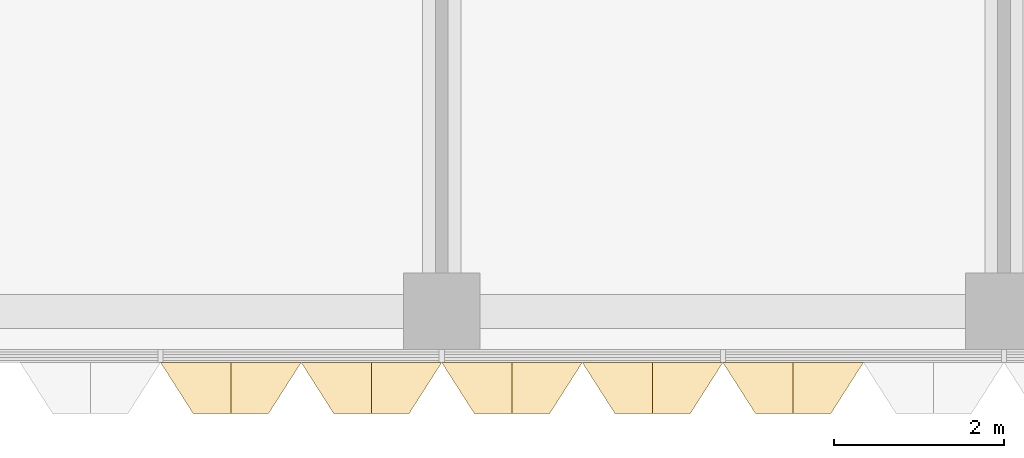
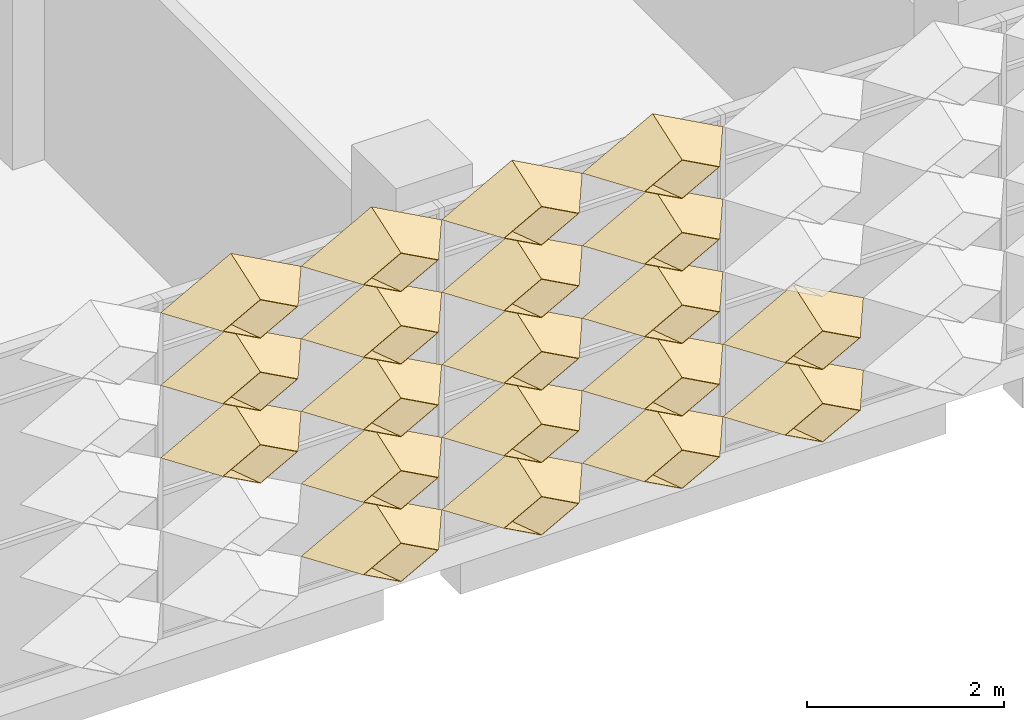
# One storey, part 77 of 109: 20 coverings.
"""IFC4 building model written with IfcOpenShell, lengths in metres."""

from ifc_helpers import new_model, entity, si_unit, direction, frame, origin, place, context, subcontext, project, spatial, material, layer, layer_set, type_object, element, save


model = new_model("IFC4")

# Units and contexts
model_context = context("Model", 3, precision=1e-05, world=origin(), true_north=direction((0.0, 1.0)))
body_context = subcontext(model_context, "Body", "Model", "MODEL_VIEW")
ifc_project = project(units=[si_unit("LENGTHUNIT", "METRE"), si_unit("AREAUNIT", "SQUARE_METRE"), si_unit("VOLUMEUNIT", "CUBIC_METRE"), si_unit("PLANEANGLEUNIT", "RADIAN"), si_unit("MASSUNIT", "GRAM", prefix="KILO")], contexts=[model_context])

# Site, building, storey
site_placement = place(None, origin())
site = spatial("IfcSite", under=ifc_project, at=site_placement, CompositionType="ELEMENT")
building_placement = place(site_placement, origin())
building = spatial("IfcBuilding", under=site, at=building_placement, Name="Lantern Court Research Institute", CompositionType="ELEMENT")
storey_placement = place(building_placement, frame((0.0, 0.0, 14.39990234375)))
storey = spatial("IfcBuildingStorey", under=building, at=storey_placement, Name="L03", CompositionType="ELEMENT", Elevation=14.39990234375)

# Coverings
ifc_material = material(Name="Anodised aluminium", Category="aluminium")
ifc_layer = layer(ifc_material, 0.01611328125)
ifc_layer_set = layer_set([ifc_layer], Name="Anodised aluminium")
covering_type = type_object("IfcCoveringType", Name="Fin cassette 1650 x 900 x 600 aluminium", PredefinedType="CLADDING", material=ifc_layer_set)
covering_1_placement = place(storey_placement, frame((65.175048828125, -8.39990234375, 0.4501953125), z_axis=(0.0, -1.0, 0.0), x_axis=(1.0, 0.0, 0.0)))
cartesian_point_1 = entity("IfcCartesianPoint", [0.824951171875, 0.0])
cartesian_point_2 = entity("IfcCartesianPoint", [0.79150390625, 0.0])
cartesian_point_3 = entity("IfcCartesianPoint", [0.44189453125, 0.0])
cartesian_point_4 = entity("IfcCartesianPoint", [0.43359375, 0.0])
element("IfcCovering", 1, at=covering_1_placement, inside=storey, type_object=covering_type, Name="Fin cassette V5S-L03 1.40", PredefinedType="CLADDING", context=body_context, shape_type="SweptSolid", body=[
    entity("IfcExtrudedAreaSolidTapered", entity("IfcArbitraryProfileDefWithVoids", "AREA", None, entity("IfcPolyline", [cartesian_point_1, entity("IfcCartesianPoint", [0.0, 0.449951171875]), entity("IfcCartesianPoint", [-0.824951171875, 0.0]), entity("IfcCartesianPoint", [0.0, -0.449951171875]), cartesian_point_1]), [entity("IfcPolyline", [cartesian_point_2, entity("IfcCartesianPoint", [0.0, 0.431884765625]), entity("IfcCartesianPoint", [-0.79150390625, 0.0]), entity("IfcCartesianPoint", [0.0, -0.431884765625]), cartesian_point_2])]), entity("IfcAxis2Placement3D", entity("IfcCartesianPoint", [0.0, 0.0, 0.0])), entity("IfcDirection", [0.0, 0.0, 1.0]), 0.60009765625, entity("IfcArbitraryProfileDefWithVoids", "AREA", None, entity("IfcPolyline", [cartesian_point_3, entity("IfcCartesianPoint", [0.0, 0.240966796875]), entity("IfcCartesianPoint", [-0.44189453125, 0.0]), entity("IfcCartesianPoint", [0.0, -0.240966796875]), cartesian_point_3]), [entity("IfcPolyline", [cartesian_point_4, entity("IfcCartesianPoint", [0.0, 0.236572265625]), entity("IfcCartesianPoint", [-0.43359375, 0.0]), entity("IfcCartesianPoint", [0.0, -0.236572265625]), cartesian_point_4])])),
])
covering_2_placement = place(storey_placement, frame((66.824951171875, -8.39990234375, 0.4501953125), z_axis=(0.0, -1.0, 0.0), x_axis=(1.0, 0.0, 0.0)))
cartesian_point_5 = entity("IfcCartesianPoint", [0.824951171875, 0.0])
cartesian_point_6 = entity("IfcCartesianPoint", [0.79150390625, 0.0])
cartesian_point_7 = entity("IfcCartesianPoint", [0.44189453125, 0.0])
cartesian_point_8 = entity("IfcCartesianPoint", [0.43359375, 0.0])
element("IfcCovering", 2, at=covering_2_placement, inside=storey, type_object=covering_type, Name="Fin cassette V5S-L03 1.41", PredefinedType="CLADDING", context=body_context, shape_type="SweptSolid", body=[
    entity("IfcExtrudedAreaSolidTapered", entity("IfcArbitraryProfileDefWithVoids", "AREA", None, entity("IfcPolyline", [cartesian_point_5, entity("IfcCartesianPoint", [0.0, 0.449951171875]), entity("IfcCartesianPoint", [-0.824951171875, 0.0]), entity("IfcCartesianPoint", [0.0, -0.449951171875]), cartesian_point_5]), [entity("IfcPolyline", [cartesian_point_6, entity("IfcCartesianPoint", [0.0, 0.431884765625]), entity("IfcCartesianPoint", [-0.79150390625, 0.0]), entity("IfcCartesianPoint", [0.0, -0.431884765625]), cartesian_point_6])]), entity("IfcAxis2Placement3D", entity("IfcCartesianPoint", [0.0, 0.0, 0.0])), entity("IfcDirection", [0.0, 0.0, 1.0]), 0.60009765625, entity("IfcArbitraryProfileDefWithVoids", "AREA", None, entity("IfcPolyline", [cartesian_point_7, entity("IfcCartesianPoint", [0.0, 0.240966796875]), entity("IfcCartesianPoint", [-0.44189453125, 0.0]), entity("IfcCartesianPoint", [0.0, -0.240966796875]), cartesian_point_7]), [entity("IfcPolyline", [cartesian_point_8, entity("IfcCartesianPoint", [0.0, 0.236572265625]), entity("IfcCartesianPoint", [-0.43359375, 0.0]), entity("IfcCartesianPoint", [0.0, -0.236572265625]), cartesian_point_8])])),
])
covering_3_placement = place(storey_placement, frame((68.47509765625, -8.39990234375, 0.4501953125), z_axis=(0.0, -1.0, 0.0), x_axis=(1.0, 0.0, 0.0)))
cartesian_point_9 = entity("IfcCartesianPoint", [0.824951171875, 0.0])
cartesian_point_10 = entity("IfcCartesianPoint", [0.79150390625, 0.0])
cartesian_point_11 = entity("IfcCartesianPoint", [0.44189453125, 0.0])
cartesian_point_12 = entity("IfcCartesianPoint", [0.43359375, 0.0])
element("IfcCovering", 3, at=covering_3_placement, inside=storey, type_object=covering_type, Name="Fin cassette V5S-L03 1.42", PredefinedType="CLADDING", context=body_context, shape_type="SweptSolid", body=[
    entity("IfcExtrudedAreaSolidTapered", entity("IfcArbitraryProfileDefWithVoids", "AREA", None, entity("IfcPolyline", [cartesian_point_9, entity("IfcCartesianPoint", [0.0, 0.449951171875]), entity("IfcCartesianPoint", [-0.824951171875, 0.0]), entity("IfcCartesianPoint", [0.0, -0.449951171875]), cartesian_point_9]), [entity("IfcPolyline", [cartesian_point_10, entity("IfcCartesianPoint", [0.0, 0.431884765625]), entity("IfcCartesianPoint", [-0.79150390625, 0.0]), entity("IfcCartesianPoint", [0.0, -0.431884765625]), cartesian_point_10])]), entity("IfcAxis2Placement3D", entity("IfcCartesianPoint", [0.0, 0.0, 0.0])), entity("IfcDirection", [0.0, 0.0, 1.0]), 0.60009765625, entity("IfcArbitraryProfileDefWithVoids", "AREA", None, entity("IfcPolyline", [cartesian_point_11, entity("IfcCartesianPoint", [0.0, 0.240966796875]), entity("IfcCartesianPoint", [-0.44189453125, 0.0]), entity("IfcCartesianPoint", [0.0, -0.240966796875]), cartesian_point_11]), [entity("IfcPolyline", [cartesian_point_12, entity("IfcCartesianPoint", [0.0, 0.236572265625]), entity("IfcCartesianPoint", [-0.43359375, 0.0]), entity("IfcCartesianPoint", [0.0, -0.236572265625]), cartesian_point_12])])),
])
covering_4_placement = place(storey_placement, frame((70.125, -8.39990234375, 0.4501953125), z_axis=(0.0, -1.0, 0.0), x_axis=(1.0, 0.0, 0.0)))
cartesian_point_13 = entity("IfcCartesianPoint", [0.824951171875, 0.0])
cartesian_point_14 = entity("IfcCartesianPoint", [0.79150390625, 0.0])
cartesian_point_15 = entity("IfcCartesianPoint", [0.44189453125, 0.0])
cartesian_point_16 = entity("IfcCartesianPoint", [0.43359375, 0.0])
element("IfcCovering", 4, at=covering_4_placement, inside=storey, type_object=covering_type, Name="Fin cassette V5S-L03 1.43", PredefinedType="CLADDING", context=body_context, shape_type="SweptSolid", body=[
    entity("IfcExtrudedAreaSolidTapered", entity("IfcArbitraryProfileDefWithVoids", "AREA", None, entity("IfcPolyline", [cartesian_point_13, entity("IfcCartesianPoint", [0.0, 0.449951171875]), entity("IfcCartesianPoint", [-0.824951171875, 0.0]), entity("IfcCartesianPoint", [0.0, -0.449951171875]), cartesian_point_13]), [entity("IfcPolyline", [cartesian_point_14, entity("IfcCartesianPoint", [0.0, 0.431884765625]), entity("IfcCartesianPoint", [-0.79150390625, 0.0]), entity("IfcCartesianPoint", [0.0, -0.431884765625]), cartesian_point_14])]), entity("IfcAxis2Placement3D", entity("IfcCartesianPoint", [0.0, 0.0, 0.0])), entity("IfcDirection", [0.0, 0.0, 1.0]), 0.60009765625, entity("IfcArbitraryProfileDefWithVoids", "AREA", None, entity("IfcPolyline", [cartesian_point_15, entity("IfcCartesianPoint", [0.0, 0.240966796875]), entity("IfcCartesianPoint", [-0.44189453125, 0.0]), entity("IfcCartesianPoint", [0.0, -0.240966796875]), cartesian_point_15]), [entity("IfcPolyline", [cartesian_point_16, entity("IfcCartesianPoint", [0.0, 0.236572265625]), entity("IfcCartesianPoint", [-0.43359375, 0.0]), entity("IfcCartesianPoint", [0.0, -0.236572265625]), cartesian_point_16])])),
])
covering_5_placement = place(storey_placement, frame((65.175048828125, -8.39990234375, 1.35009765625), z_axis=(0.0, -1.0, 0.0), x_axis=(1.0, 0.0, 0.0)))
cartesian_point_17 = entity("IfcCartesianPoint", [0.824951171875, 0.0])
cartesian_point_18 = entity("IfcCartesianPoint", [0.79150390625, 0.0])
cartesian_point_19 = entity("IfcCartesianPoint", [0.44189453125, 0.0])
cartesian_point_20 = entity("IfcCartesianPoint", [0.43359375, 0.0])
element("IfcCovering", 5, at=covering_5_placement, inside=storey, type_object=covering_type, Name="Fin cassette V5S-L03 2.40", PredefinedType="CLADDING", context=body_context, shape_type="SweptSolid", body=[
    entity("IfcExtrudedAreaSolidTapered", entity("IfcArbitraryProfileDefWithVoids", "AREA", None, entity("IfcPolyline", [cartesian_point_17, entity("IfcCartesianPoint", [0.0, 0.449951171875]), entity("IfcCartesianPoint", [-0.824951171875, 0.0]), entity("IfcCartesianPoint", [0.0, -0.449951171875]), cartesian_point_17]), [entity("IfcPolyline", [cartesian_point_18, entity("IfcCartesianPoint", [0.0, 0.431884765625]), entity("IfcCartesianPoint", [-0.79150390625, 0.0]), entity("IfcCartesianPoint", [0.0, -0.431884765625]), cartesian_point_18])]), entity("IfcAxis2Placement3D", entity("IfcCartesianPoint", [0.0, 0.0, 0.0])), entity("IfcDirection", [0.0, 0.0, 1.0]), 0.60009765625, entity("IfcArbitraryProfileDefWithVoids", "AREA", None, entity("IfcPolyline", [cartesian_point_19, entity("IfcCartesianPoint", [0.0, 0.240966796875]), entity("IfcCartesianPoint", [-0.44189453125, 0.0]), entity("IfcCartesianPoint", [0.0, -0.240966796875]), cartesian_point_19]), [entity("IfcPolyline", [cartesian_point_20, entity("IfcCartesianPoint", [0.0, 0.236572265625]), entity("IfcCartesianPoint", [-0.43359375, 0.0]), entity("IfcCartesianPoint", [0.0, -0.236572265625]), cartesian_point_20])])),
])
covering_6_placement = place(storey_placement, frame((66.824951171875, -8.39990234375, 1.35009765625), z_axis=(0.0, -1.0, 0.0), x_axis=(1.0, 0.0, 0.0)))
cartesian_point_21 = entity("IfcCartesianPoint", [0.824951171875, 0.0])
cartesian_point_22 = entity("IfcCartesianPoint", [0.79150390625, 0.0])
cartesian_point_23 = entity("IfcCartesianPoint", [0.44189453125, 0.0])
cartesian_point_24 = entity("IfcCartesianPoint", [0.43359375, 0.0])
element("IfcCovering", 6, at=covering_6_placement, inside=storey, type_object=covering_type, Name="Fin cassette V5S-L03 2.41", PredefinedType="CLADDING", context=body_context, shape_type="SweptSolid", body=[
    entity("IfcExtrudedAreaSolidTapered", entity("IfcArbitraryProfileDefWithVoids", "AREA", None, entity("IfcPolyline", [cartesian_point_21, entity("IfcCartesianPoint", [0.0, 0.449951171875]), entity("IfcCartesianPoint", [-0.824951171875, 0.0]), entity("IfcCartesianPoint", [0.0, -0.449951171875]), cartesian_point_21]), [entity("IfcPolyline", [cartesian_point_22, entity("IfcCartesianPoint", [0.0, 0.431884765625]), entity("IfcCartesianPoint", [-0.79150390625, 0.0]), entity("IfcCartesianPoint", [0.0, -0.431884765625]), cartesian_point_22])]), entity("IfcAxis2Placement3D", entity("IfcCartesianPoint", [0.0, 0.0, 0.0])), entity("IfcDirection", [0.0, 0.0, 1.0]), 0.60009765625, entity("IfcArbitraryProfileDefWithVoids", "AREA", None, entity("IfcPolyline", [cartesian_point_23, entity("IfcCartesianPoint", [0.0, 0.240966796875]), entity("IfcCartesianPoint", [-0.44189453125, 0.0]), entity("IfcCartesianPoint", [0.0, -0.240966796875]), cartesian_point_23]), [entity("IfcPolyline", [cartesian_point_24, entity("IfcCartesianPoint", [0.0, 0.236572265625]), entity("IfcCartesianPoint", [-0.43359375, 0.0]), entity("IfcCartesianPoint", [0.0, -0.236572265625]), cartesian_point_24])])),
])
covering_7_placement = place(storey_placement, frame((68.47509765625, -8.39990234375, 1.35009765625), z_axis=(0.0, -1.0, 0.0), x_axis=(1.0, 0.0, 0.0)))
cartesian_point_25 = entity("IfcCartesianPoint", [0.824951171875, 0.0])
cartesian_point_26 = entity("IfcCartesianPoint", [0.79150390625, 0.0])
cartesian_point_27 = entity("IfcCartesianPoint", [0.44189453125, 0.0])
cartesian_point_28 = entity("IfcCartesianPoint", [0.43359375, 0.0])
element("IfcCovering", 7, at=covering_7_placement, inside=storey, type_object=covering_type, Name="Fin cassette V5S-L03 2.42", PredefinedType="CLADDING", context=body_context, shape_type="SweptSolid", body=[
    entity("IfcExtrudedAreaSolidTapered", entity("IfcArbitraryProfileDefWithVoids", "AREA", None, entity("IfcPolyline", [cartesian_point_25, entity("IfcCartesianPoint", [0.0, 0.449951171875]), entity("IfcCartesianPoint", [-0.824951171875, 0.0]), entity("IfcCartesianPoint", [0.0, -0.449951171875]), cartesian_point_25]), [entity("IfcPolyline", [cartesian_point_26, entity("IfcCartesianPoint", [0.0, 0.431884765625]), entity("IfcCartesianPoint", [-0.79150390625, 0.0]), entity("IfcCartesianPoint", [0.0, -0.431884765625]), cartesian_point_26])]), entity("IfcAxis2Placement3D", entity("IfcCartesianPoint", [0.0, 0.0, 0.0])), entity("IfcDirection", [0.0, 0.0, 1.0]), 0.60009765625, entity("IfcArbitraryProfileDefWithVoids", "AREA", None, entity("IfcPolyline", [cartesian_point_27, entity("IfcCartesianPoint", [0.0, 0.240966796875]), entity("IfcCartesianPoint", [-0.44189453125, 0.0]), entity("IfcCartesianPoint", [0.0, -0.240966796875]), cartesian_point_27]), [entity("IfcPolyline", [cartesian_point_28, entity("IfcCartesianPoint", [0.0, 0.236572265625]), entity("IfcCartesianPoint", [-0.43359375, 0.0]), entity("IfcCartesianPoint", [0.0, -0.236572265625]), cartesian_point_28])])),
])
covering_8_placement = place(storey_placement, frame((70.125, -8.39990234375, 1.35009765625), z_axis=(0.0, -1.0, 0.0), x_axis=(1.0, 0.0, 0.0)))
cartesian_point_29 = entity("IfcCartesianPoint", [0.824951171875, 0.0])
cartesian_point_30 = entity("IfcCartesianPoint", [0.79150390625, 0.0])
cartesian_point_31 = entity("IfcCartesianPoint", [0.44189453125, 0.0])
cartesian_point_32 = entity("IfcCartesianPoint", [0.43359375, 0.0])
element("IfcCovering", 8, at=covering_8_placement, inside=storey, type_object=covering_type, Name="Fin cassette V5S-L03 2.43", PredefinedType="CLADDING", context=body_context, shape_type="SweptSolid", body=[
    entity("IfcExtrudedAreaSolidTapered", entity("IfcArbitraryProfileDefWithVoids", "AREA", None, entity("IfcPolyline", [cartesian_point_29, entity("IfcCartesianPoint", [0.0, 0.449951171875]), entity("IfcCartesianPoint", [-0.824951171875, 0.0]), entity("IfcCartesianPoint", [0.0, -0.449951171875]), cartesian_point_29]), [entity("IfcPolyline", [cartesian_point_30, entity("IfcCartesianPoint", [0.0, 0.431884765625]), entity("IfcCartesianPoint", [-0.79150390625, 0.0]), entity("IfcCartesianPoint", [0.0, -0.431884765625]), cartesian_point_30])]), entity("IfcAxis2Placement3D", entity("IfcCartesianPoint", [0.0, 0.0, 0.0])), entity("IfcDirection", [0.0, 0.0, 1.0]), 0.60009765625, entity("IfcArbitraryProfileDefWithVoids", "AREA", None, entity("IfcPolyline", [cartesian_point_31, entity("IfcCartesianPoint", [0.0, 0.240966796875]), entity("IfcCartesianPoint", [-0.44189453125, 0.0]), entity("IfcCartesianPoint", [0.0, -0.240966796875]), cartesian_point_31]), [entity("IfcPolyline", [cartesian_point_32, entity("IfcCartesianPoint", [0.0, 0.236572265625]), entity("IfcCartesianPoint", [-0.43359375, 0.0]), entity("IfcCartesianPoint", [0.0, -0.236572265625]), cartesian_point_32])])),
])
covering_9_placement = place(storey_placement, frame((63.52490234375, -8.39990234375, 2.25), z_axis=(0.0, -1.0, 0.0), x_axis=(1.0, 0.0, 0.0)))
cartesian_point_33 = entity("IfcCartesianPoint", [0.824951171875, 0.0])
cartesian_point_34 = entity("IfcCartesianPoint", [0.79150390625, 0.0])
cartesian_point_35 = entity("IfcCartesianPoint", [0.44189453125, 0.0])
cartesian_point_36 = entity("IfcCartesianPoint", [0.43359375, 0.0])
element("IfcCovering", 9, at=covering_9_placement, inside=storey, type_object=covering_type, Name="Fin cassette V5S-L03 3.39", PredefinedType="CLADDING", context=body_context, shape_type="SweptSolid", body=[
    entity("IfcExtrudedAreaSolidTapered", entity("IfcArbitraryProfileDefWithVoids", "AREA", None, entity("IfcPolyline", [cartesian_point_33, entity("IfcCartesianPoint", [0.0, 0.449951171875]), entity("IfcCartesianPoint", [-0.824951171875, 0.0]), entity("IfcCartesianPoint", [0.0, -0.449951171875]), cartesian_point_33]), [entity("IfcPolyline", [cartesian_point_34, entity("IfcCartesianPoint", [0.0, 0.431884765625]), entity("IfcCartesianPoint", [-0.79150390625, 0.0]), entity("IfcCartesianPoint", [0.0, -0.431884765625]), cartesian_point_34])]), entity("IfcAxis2Placement3D", entity("IfcCartesianPoint", [0.0, 0.0, 0.0])), entity("IfcDirection", [0.0, 0.0, 1.0]), 0.60009765625, entity("IfcArbitraryProfileDefWithVoids", "AREA", None, entity("IfcPolyline", [cartesian_point_35, entity("IfcCartesianPoint", [0.0, 0.240966796875]), entity("IfcCartesianPoint", [-0.44189453125, 0.0]), entity("IfcCartesianPoint", [0.0, -0.240966796875]), cartesian_point_35]), [entity("IfcPolyline", [cartesian_point_36, entity("IfcCartesianPoint", [0.0, 0.236572265625]), entity("IfcCartesianPoint", [-0.43359375, 0.0]), entity("IfcCartesianPoint", [0.0, -0.236572265625]), cartesian_point_36])])),
])
covering_10_placement = place(storey_placement, frame((65.175048828125, -8.39990234375, 2.25), z_axis=(0.0, -1.0, 0.0), x_axis=(1.0, 0.0, 0.0)))
cartesian_point_37 = entity("IfcCartesianPoint", [0.824951171875, 0.0])
cartesian_point_38 = entity("IfcCartesianPoint", [0.79150390625, 0.0])
cartesian_point_39 = entity("IfcCartesianPoint", [0.44189453125, 0.0])
cartesian_point_40 = entity("IfcCartesianPoint", [0.43359375, 0.0])
element("IfcCovering", 10, at=covering_10_placement, inside=storey, type_object=covering_type, Name="Fin cassette V5S-L03 3.40", PredefinedType="CLADDING", context=body_context, shape_type="SweptSolid", body=[
    entity("IfcExtrudedAreaSolidTapered", entity("IfcArbitraryProfileDefWithVoids", "AREA", None, entity("IfcPolyline", [cartesian_point_37, entity("IfcCartesianPoint", [0.0, 0.449951171875]), entity("IfcCartesianPoint", [-0.824951171875, 0.0]), entity("IfcCartesianPoint", [0.0, -0.449951171875]), cartesian_point_37]), [entity("IfcPolyline", [cartesian_point_38, entity("IfcCartesianPoint", [0.0, 0.431884765625]), entity("IfcCartesianPoint", [-0.79150390625, 0.0]), entity("IfcCartesianPoint", [0.0, -0.431884765625]), cartesian_point_38])]), entity("IfcAxis2Placement3D", entity("IfcCartesianPoint", [0.0, 0.0, 0.0])), entity("IfcDirection", [0.0, 0.0, 1.0]), 0.60009765625, entity("IfcArbitraryProfileDefWithVoids", "AREA", None, entity("IfcPolyline", [cartesian_point_39, entity("IfcCartesianPoint", [0.0, 0.240966796875]), entity("IfcCartesianPoint", [-0.44189453125, 0.0]), entity("IfcCartesianPoint", [0.0, -0.240966796875]), cartesian_point_39]), [entity("IfcPolyline", [cartesian_point_40, entity("IfcCartesianPoint", [0.0, 0.236572265625]), entity("IfcCartesianPoint", [-0.43359375, 0.0]), entity("IfcCartesianPoint", [0.0, -0.236572265625]), cartesian_point_40])])),
])
covering_11_placement = place(storey_placement, frame((66.824951171875, -8.39990234375, 2.25), z_axis=(0.0, -1.0, 0.0), x_axis=(1.0, 0.0, 0.0)))
cartesian_point_41 = entity("IfcCartesianPoint", [0.824951171875, 0.0])
cartesian_point_42 = entity("IfcCartesianPoint", [0.79150390625, 0.0])
cartesian_point_43 = entity("IfcCartesianPoint", [0.44189453125, 0.0])
cartesian_point_44 = entity("IfcCartesianPoint", [0.43359375, 0.0])
element("IfcCovering", 11, at=covering_11_placement, inside=storey, type_object=covering_type, Name="Fin cassette V5S-L03 3.41", PredefinedType="CLADDING", context=body_context, shape_type="SweptSolid", body=[
    entity("IfcExtrudedAreaSolidTapered", entity("IfcArbitraryProfileDefWithVoids", "AREA", None, entity("IfcPolyline", [cartesian_point_41, entity("IfcCartesianPoint", [0.0, 0.449951171875]), entity("IfcCartesianPoint", [-0.824951171875, 0.0]), entity("IfcCartesianPoint", [0.0, -0.449951171875]), cartesian_point_41]), [entity("IfcPolyline", [cartesian_point_42, entity("IfcCartesianPoint", [0.0, 0.431884765625]), entity("IfcCartesianPoint", [-0.79150390625, 0.0]), entity("IfcCartesianPoint", [0.0, -0.431884765625]), cartesian_point_42])]), entity("IfcAxis2Placement3D", entity("IfcCartesianPoint", [0.0, 0.0, 0.0])), entity("IfcDirection", [0.0, 0.0, 1.0]), 0.60009765625, entity("IfcArbitraryProfileDefWithVoids", "AREA", None, entity("IfcPolyline", [cartesian_point_43, entity("IfcCartesianPoint", [0.0, 0.240966796875]), entity("IfcCartesianPoint", [-0.44189453125, 0.0]), entity("IfcCartesianPoint", [0.0, -0.240966796875]), cartesian_point_43]), [entity("IfcPolyline", [cartesian_point_44, entity("IfcCartesianPoint", [0.0, 0.236572265625]), entity("IfcCartesianPoint", [-0.43359375, 0.0]), entity("IfcCartesianPoint", [0.0, -0.236572265625]), cartesian_point_44])])),
])
covering_12_placement = place(storey_placement, frame((68.47509765625, -8.39990234375, 2.25), z_axis=(0.0, -1.0, 0.0), x_axis=(1.0, 0.0, 0.0)))
cartesian_point_45 = entity("IfcCartesianPoint", [0.824951171875, 0.0])
cartesian_point_46 = entity("IfcCartesianPoint", [0.79150390625, 0.0])
cartesian_point_47 = entity("IfcCartesianPoint", [0.44189453125, 0.0])
cartesian_point_48 = entity("IfcCartesianPoint", [0.43359375, 0.0])
element("IfcCovering", 12, at=covering_12_placement, inside=storey, type_object=covering_type, Name="Fin cassette V5S-L03 3.42", PredefinedType="CLADDING", context=body_context, shape_type="SweptSolid", body=[
    entity("IfcExtrudedAreaSolidTapered", entity("IfcArbitraryProfileDefWithVoids", "AREA", None, entity("IfcPolyline", [cartesian_point_45, entity("IfcCartesianPoint", [0.0, 0.449951171875]), entity("IfcCartesianPoint", [-0.824951171875, 0.0]), entity("IfcCartesianPoint", [0.0, -0.449951171875]), cartesian_point_45]), [entity("IfcPolyline", [cartesian_point_46, entity("IfcCartesianPoint", [0.0, 0.431884765625]), entity("IfcCartesianPoint", [-0.79150390625, 0.0]), entity("IfcCartesianPoint", [0.0, -0.431884765625]), cartesian_point_46])]), entity("IfcAxis2Placement3D", entity("IfcCartesianPoint", [0.0, 0.0, 0.0])), entity("IfcDirection", [0.0, 0.0, 1.0]), 0.60009765625, entity("IfcArbitraryProfileDefWithVoids", "AREA", None, entity("IfcPolyline", [cartesian_point_47, entity("IfcCartesianPoint", [0.0, 0.240966796875]), entity("IfcCartesianPoint", [-0.44189453125, 0.0]), entity("IfcCartesianPoint", [0.0, -0.240966796875]), cartesian_point_47]), [entity("IfcPolyline", [cartesian_point_48, entity("IfcCartesianPoint", [0.0, 0.236572265625]), entity("IfcCartesianPoint", [-0.43359375, 0.0]), entity("IfcCartesianPoint", [0.0, -0.236572265625]), cartesian_point_48])])),
])
covering_13_placement = place(storey_placement, frame((63.52490234375, -8.39990234375, 3.150146484375), z_axis=(0.0, -1.0, 0.0), x_axis=(1.0, 0.0, 0.0)))
cartesian_point_49 = entity("IfcCartesianPoint", [0.824951171875, 0.0])
cartesian_point_50 = entity("IfcCartesianPoint", [0.79150390625, 0.0])
cartesian_point_51 = entity("IfcCartesianPoint", [0.44189453125, 0.0])
cartesian_point_52 = entity("IfcCartesianPoint", [0.43359375, 0.0])
element("IfcCovering", 13, at=covering_13_placement, inside=storey, type_object=covering_type, Name="Fin cassette V5S-L03 4.39", PredefinedType="CLADDING", context=body_context, shape_type="SweptSolid", body=[
    entity("IfcExtrudedAreaSolidTapered", entity("IfcArbitraryProfileDefWithVoids", "AREA", None, entity("IfcPolyline", [cartesian_point_49, entity("IfcCartesianPoint", [0.0, 0.449951171875]), entity("IfcCartesianPoint", [-0.824951171875, 0.0]), entity("IfcCartesianPoint", [0.0, -0.449951171875]), cartesian_point_49]), [entity("IfcPolyline", [cartesian_point_50, entity("IfcCartesianPoint", [0.0, 0.431884765625]), entity("IfcCartesianPoint", [-0.79150390625, 0.0]), entity("IfcCartesianPoint", [0.0, -0.431884765625]), cartesian_point_50])]), entity("IfcAxis2Placement3D", entity("IfcCartesianPoint", [0.0, 0.0, 0.0])), entity("IfcDirection", [0.0, 0.0, 1.0]), 0.60009765625, entity("IfcArbitraryProfileDefWithVoids", "AREA", None, entity("IfcPolyline", [cartesian_point_51, entity("IfcCartesianPoint", [0.0, 0.240966796875]), entity("IfcCartesianPoint", [-0.44189453125, 0.0]), entity("IfcCartesianPoint", [0.0, -0.240966796875]), cartesian_point_51]), [entity("IfcPolyline", [cartesian_point_52, entity("IfcCartesianPoint", [0.0, 0.236572265625]), entity("IfcCartesianPoint", [-0.43359375, 0.0]), entity("IfcCartesianPoint", [0.0, -0.236572265625]), cartesian_point_52])])),
])
covering_14_placement = place(storey_placement, frame((65.175048828125, -8.39990234375, 3.150146484375), z_axis=(0.0, -1.0, 0.0), x_axis=(1.0, 0.0, 0.0)))
cartesian_point_53 = entity("IfcCartesianPoint", [0.824951171875, 0.0])
cartesian_point_54 = entity("IfcCartesianPoint", [0.79150390625, 0.0])
cartesian_point_55 = entity("IfcCartesianPoint", [0.44189453125, 0.0])
cartesian_point_56 = entity("IfcCartesianPoint", [0.43359375, 0.0])
element("IfcCovering", 14, at=covering_14_placement, inside=storey, type_object=covering_type, Name="Fin cassette V5S-L03 4.40", PredefinedType="CLADDING", context=body_context, shape_type="SweptSolid", body=[
    entity("IfcExtrudedAreaSolidTapered", entity("IfcArbitraryProfileDefWithVoids", "AREA", None, entity("IfcPolyline", [cartesian_point_53, entity("IfcCartesianPoint", [0.0, 0.449951171875]), entity("IfcCartesianPoint", [-0.824951171875, 0.0]), entity("IfcCartesianPoint", [0.0, -0.449951171875]), cartesian_point_53]), [entity("IfcPolyline", [cartesian_point_54, entity("IfcCartesianPoint", [0.0, 0.431884765625]), entity("IfcCartesianPoint", [-0.79150390625, 0.0]), entity("IfcCartesianPoint", [0.0, -0.431884765625]), cartesian_point_54])]), entity("IfcAxis2Placement3D", entity("IfcCartesianPoint", [0.0, 0.0, 0.0])), entity("IfcDirection", [0.0, 0.0, 1.0]), 0.60009765625, entity("IfcArbitraryProfileDefWithVoids", "AREA", None, entity("IfcPolyline", [cartesian_point_55, entity("IfcCartesianPoint", [0.0, 0.240966796875]), entity("IfcCartesianPoint", [-0.44189453125, 0.0]), entity("IfcCartesianPoint", [0.0, -0.240966796875]), cartesian_point_55]), [entity("IfcPolyline", [cartesian_point_56, entity("IfcCartesianPoint", [0.0, 0.236572265625]), entity("IfcCartesianPoint", [-0.43359375, 0.0]), entity("IfcCartesianPoint", [0.0, -0.236572265625]), cartesian_point_56])])),
])
covering_15_placement = place(storey_placement, frame((66.824951171875, -8.39990234375, 3.150146484375), z_axis=(0.0, -1.0, 0.0), x_axis=(1.0, 0.0, 0.0)))
cartesian_point_57 = entity("IfcCartesianPoint", [0.824951171875, 0.0])
cartesian_point_58 = entity("IfcCartesianPoint", [0.79150390625, 0.0])
cartesian_point_59 = entity("IfcCartesianPoint", [0.44189453125, 0.0])
cartesian_point_60 = entity("IfcCartesianPoint", [0.43359375, 0.0])
element("IfcCovering", 15, at=covering_15_placement, inside=storey, type_object=covering_type, Name="Fin cassette V5S-L03 4.41", PredefinedType="CLADDING", context=body_context, shape_type="SweptSolid", body=[
    entity("IfcExtrudedAreaSolidTapered", entity("IfcArbitraryProfileDefWithVoids", "AREA", None, entity("IfcPolyline", [cartesian_point_57, entity("IfcCartesianPoint", [0.0, 0.449951171875]), entity("IfcCartesianPoint", [-0.824951171875, 0.0]), entity("IfcCartesianPoint", [0.0, -0.449951171875]), cartesian_point_57]), [entity("IfcPolyline", [cartesian_point_58, entity("IfcCartesianPoint", [0.0, 0.431884765625]), entity("IfcCartesianPoint", [-0.79150390625, 0.0]), entity("IfcCartesianPoint", [0.0, -0.431884765625]), cartesian_point_58])]), entity("IfcAxis2Placement3D", entity("IfcCartesianPoint", [0.0, 0.0, 0.0])), entity("IfcDirection", [0.0, 0.0, 1.0]), 0.60009765625, entity("IfcArbitraryProfileDefWithVoids", "AREA", None, entity("IfcPolyline", [cartesian_point_59, entity("IfcCartesianPoint", [0.0, 0.240966796875]), entity("IfcCartesianPoint", [-0.44189453125, 0.0]), entity("IfcCartesianPoint", [0.0, -0.240966796875]), cartesian_point_59]), [entity("IfcPolyline", [cartesian_point_60, entity("IfcCartesianPoint", [0.0, 0.236572265625]), entity("IfcCartesianPoint", [-0.43359375, 0.0]), entity("IfcCartesianPoint", [0.0, -0.236572265625]), cartesian_point_60])])),
])
covering_16_placement = place(storey_placement, frame((68.47509765625, -8.39990234375, 3.150146484375), z_axis=(0.0, -1.0, 0.0), x_axis=(1.0, 0.0, 0.0)))
cartesian_point_61 = entity("IfcCartesianPoint", [0.824951171875, 0.0])
cartesian_point_62 = entity("IfcCartesianPoint", [0.79150390625, 0.0])
cartesian_point_63 = entity("IfcCartesianPoint", [0.44189453125, 0.0])
cartesian_point_64 = entity("IfcCartesianPoint", [0.43359375, 0.0])
element("IfcCovering", 16, at=covering_16_placement, inside=storey, type_object=covering_type, Name="Fin cassette V5S-L03 4.42", PredefinedType="CLADDING", context=body_context, shape_type="SweptSolid", body=[
    entity("IfcExtrudedAreaSolidTapered", entity("IfcArbitraryProfileDefWithVoids", "AREA", None, entity("IfcPolyline", [cartesian_point_61, entity("IfcCartesianPoint", [0.0, 0.449951171875]), entity("IfcCartesianPoint", [-0.824951171875, 0.0]), entity("IfcCartesianPoint", [0.0, -0.449951171875]), cartesian_point_61]), [entity("IfcPolyline", [cartesian_point_62, entity("IfcCartesianPoint", [0.0, 0.431884765625]), entity("IfcCartesianPoint", [-0.79150390625, 0.0]), entity("IfcCartesianPoint", [0.0, -0.431884765625]), cartesian_point_62])]), entity("IfcAxis2Placement3D", entity("IfcCartesianPoint", [0.0, 0.0, 0.0])), entity("IfcDirection", [0.0, 0.0, 1.0]), 0.60009765625, entity("IfcArbitraryProfileDefWithVoids", "AREA", None, entity("IfcPolyline", [cartesian_point_63, entity("IfcCartesianPoint", [0.0, 0.240966796875]), entity("IfcCartesianPoint", [-0.44189453125, 0.0]), entity("IfcCartesianPoint", [0.0, -0.240966796875]), cartesian_point_63]), [entity("IfcPolyline", [cartesian_point_64, entity("IfcCartesianPoint", [0.0, 0.236572265625]), entity("IfcCartesianPoint", [-0.43359375, 0.0]), entity("IfcCartesianPoint", [0.0, -0.236572265625]), cartesian_point_64])])),
])
covering_17_placement = place(storey_placement, frame((63.52490234375, -8.39990234375, 4.050048828125), z_axis=(0.0, -1.0, 0.0), x_axis=(1.0, 0.0, 0.0)))
cartesian_point_65 = entity("IfcCartesianPoint", [0.824951171875, 0.0])
cartesian_point_66 = entity("IfcCartesianPoint", [0.79150390625, 0.0])
cartesian_point_67 = entity("IfcCartesianPoint", [0.44189453125, 0.0])
cartesian_point_68 = entity("IfcCartesianPoint", [0.43359375, 0.0])
element("IfcCovering", 17, at=covering_17_placement, inside=storey, type_object=covering_type, Name="Fin cassette V5S-L03 5.39", PredefinedType="CLADDING", context=body_context, shape_type="SweptSolid", body=[
    entity("IfcExtrudedAreaSolidTapered", entity("IfcArbitraryProfileDefWithVoids", "AREA", None, entity("IfcPolyline", [cartesian_point_65, entity("IfcCartesianPoint", [0.0, 0.449951171875]), entity("IfcCartesianPoint", [-0.824951171875, 0.0]), entity("IfcCartesianPoint", [0.0, -0.449951171875]), cartesian_point_65]), [entity("IfcPolyline", [cartesian_point_66, entity("IfcCartesianPoint", [0.0, 0.431884765625]), entity("IfcCartesianPoint", [-0.79150390625, 0.0]), entity("IfcCartesianPoint", [0.0, -0.431884765625]), cartesian_point_66])]), entity("IfcAxis2Placement3D", entity("IfcCartesianPoint", [0.0, 0.0, 0.0])), entity("IfcDirection", [0.0, 0.0, 1.0]), 0.60009765625, entity("IfcArbitraryProfileDefWithVoids", "AREA", None, entity("IfcPolyline", [cartesian_point_67, entity("IfcCartesianPoint", [0.0, 0.240966796875]), entity("IfcCartesianPoint", [-0.44189453125, 0.0]), entity("IfcCartesianPoint", [0.0, -0.240966796875]), cartesian_point_67]), [entity("IfcPolyline", [cartesian_point_68, entity("IfcCartesianPoint", [0.0, 0.236572265625]), entity("IfcCartesianPoint", [-0.43359375, 0.0]), entity("IfcCartesianPoint", [0.0, -0.236572265625]), cartesian_point_68])])),
])
covering_18_placement = place(storey_placement, frame((65.175048828125, -8.39990234375, 4.050048828125), z_axis=(0.0, -1.0, 0.0), x_axis=(1.0, 0.0, 0.0)))
cartesian_point_69 = entity("IfcCartesianPoint", [0.824951171875, 0.0])
cartesian_point_70 = entity("IfcCartesianPoint", [0.79150390625, 0.0])
cartesian_point_71 = entity("IfcCartesianPoint", [0.44189453125, 0.0])
cartesian_point_72 = entity("IfcCartesianPoint", [0.43359375, 0.0])
element("IfcCovering", 18, at=covering_18_placement, inside=storey, type_object=covering_type, Name="Fin cassette V5S-L03 5.40", PredefinedType="CLADDING", context=body_context, shape_type="SweptSolid", body=[
    entity("IfcExtrudedAreaSolidTapered", entity("IfcArbitraryProfileDefWithVoids", "AREA", None, entity("IfcPolyline", [cartesian_point_69, entity("IfcCartesianPoint", [0.0, 0.449951171875]), entity("IfcCartesianPoint", [-0.824951171875, 0.0]), entity("IfcCartesianPoint", [0.0, -0.449951171875]), cartesian_point_69]), [entity("IfcPolyline", [cartesian_point_70, entity("IfcCartesianPoint", [0.0, 0.431884765625]), entity("IfcCartesianPoint", [-0.79150390625, 0.0]), entity("IfcCartesianPoint", [0.0, -0.431884765625]), cartesian_point_70])]), entity("IfcAxis2Placement3D", entity("IfcCartesianPoint", [0.0, 0.0, 0.0])), entity("IfcDirection", [0.0, 0.0, 1.0]), 0.60009765625, entity("IfcArbitraryProfileDefWithVoids", "AREA", None, entity("IfcPolyline", [cartesian_point_71, entity("IfcCartesianPoint", [0.0, 0.240966796875]), entity("IfcCartesianPoint", [-0.44189453125, 0.0]), entity("IfcCartesianPoint", [0.0, -0.240966796875]), cartesian_point_71]), [entity("IfcPolyline", [cartesian_point_72, entity("IfcCartesianPoint", [0.0, 0.236572265625]), entity("IfcCartesianPoint", [-0.43359375, 0.0]), entity("IfcCartesianPoint", [0.0, -0.236572265625]), cartesian_point_72])])),
])
covering_19_placement = place(storey_placement, frame((66.824951171875, -8.39990234375, 4.050048828125), z_axis=(0.0, -1.0, 0.0), x_axis=(1.0, 0.0, 0.0)))
cartesian_point_73 = entity("IfcCartesianPoint", [0.824951171875, 0.0])
cartesian_point_74 = entity("IfcCartesianPoint", [0.79150390625, 0.0])
cartesian_point_75 = entity("IfcCartesianPoint", [0.44189453125, 0.0])
cartesian_point_76 = entity("IfcCartesianPoint", [0.43359375, 0.0])
element("IfcCovering", 19, at=covering_19_placement, inside=storey, type_object=covering_type, Name="Fin cassette V5S-L03 5.41", PredefinedType="CLADDING", context=body_context, shape_type="SweptSolid", body=[
    entity("IfcExtrudedAreaSolidTapered", entity("IfcArbitraryProfileDefWithVoids", "AREA", None, entity("IfcPolyline", [cartesian_point_73, entity("IfcCartesianPoint", [0.0, 0.449951171875]), entity("IfcCartesianPoint", [-0.824951171875, 0.0]), entity("IfcCartesianPoint", [0.0, -0.449951171875]), cartesian_point_73]), [entity("IfcPolyline", [cartesian_point_74, entity("IfcCartesianPoint", [0.0, 0.431884765625]), entity("IfcCartesianPoint", [-0.79150390625, 0.0]), entity("IfcCartesianPoint", [0.0, -0.431884765625]), cartesian_point_74])]), entity("IfcAxis2Placement3D", entity("IfcCartesianPoint", [0.0, 0.0, 0.0])), entity("IfcDirection", [0.0, 0.0, 1.0]), 0.60009765625, entity("IfcArbitraryProfileDefWithVoids", "AREA", None, entity("IfcPolyline", [cartesian_point_75, entity("IfcCartesianPoint", [0.0, 0.240966796875]), entity("IfcCartesianPoint", [-0.44189453125, 0.0]), entity("IfcCartesianPoint", [0.0, -0.240966796875]), cartesian_point_75]), [entity("IfcPolyline", [cartesian_point_76, entity("IfcCartesianPoint", [0.0, 0.236572265625]), entity("IfcCartesianPoint", [-0.43359375, 0.0]), entity("IfcCartesianPoint", [0.0, -0.236572265625]), cartesian_point_76])])),
])
covering_20_placement = place(storey_placement, frame((68.47509765625, -8.39990234375, 4.050048828125), z_axis=(0.0, -1.0, 0.0), x_axis=(1.0, 0.0, 0.0)))
cartesian_point_77 = entity("IfcCartesianPoint", [0.824951171875, 0.0])
cartesian_point_78 = entity("IfcCartesianPoint", [0.79150390625, 0.0])
cartesian_point_79 = entity("IfcCartesianPoint", [0.44189453125, 0.0])
cartesian_point_80 = entity("IfcCartesianPoint", [0.43359375, 0.0])
element("IfcCovering", 20, at=covering_20_placement, inside=storey, type_object=covering_type, Name="Fin cassette V5S-L03 5.42", PredefinedType="CLADDING", context=body_context, shape_type="SweptSolid", body=[
    entity("IfcExtrudedAreaSolidTapered", entity("IfcArbitraryProfileDefWithVoids", "AREA", None, entity("IfcPolyline", [cartesian_point_77, entity("IfcCartesianPoint", [0.0, 0.449951171875]), entity("IfcCartesianPoint", [-0.824951171875, 0.0]), entity("IfcCartesianPoint", [0.0, -0.449951171875]), cartesian_point_77]), [entity("IfcPolyline", [cartesian_point_78, entity("IfcCartesianPoint", [0.0, 0.431884765625]), entity("IfcCartesianPoint", [-0.79150390625, 0.0]), entity("IfcCartesianPoint", [0.0, -0.431884765625]), cartesian_point_78])]), entity("IfcAxis2Placement3D", entity("IfcCartesianPoint", [0.0, 0.0, 0.0])), entity("IfcDirection", [0.0, 0.0, 1.0]), 0.60009765625, entity("IfcArbitraryProfileDefWithVoids", "AREA", None, entity("IfcPolyline", [cartesian_point_79, entity("IfcCartesianPoint", [0.0, 0.240966796875]), entity("IfcCartesianPoint", [-0.44189453125, 0.0]), entity("IfcCartesianPoint", [0.0, -0.240966796875]), cartesian_point_79]), [entity("IfcPolyline", [cartesian_point_80, entity("IfcCartesianPoint", [0.0, 0.236572265625]), entity("IfcCartesianPoint", [-0.43359375, 0.0]), entity("IfcCartesianPoint", [0.0, -0.236572265625]), cartesian_point_80])])),
])

save(model, "model.ifc")
